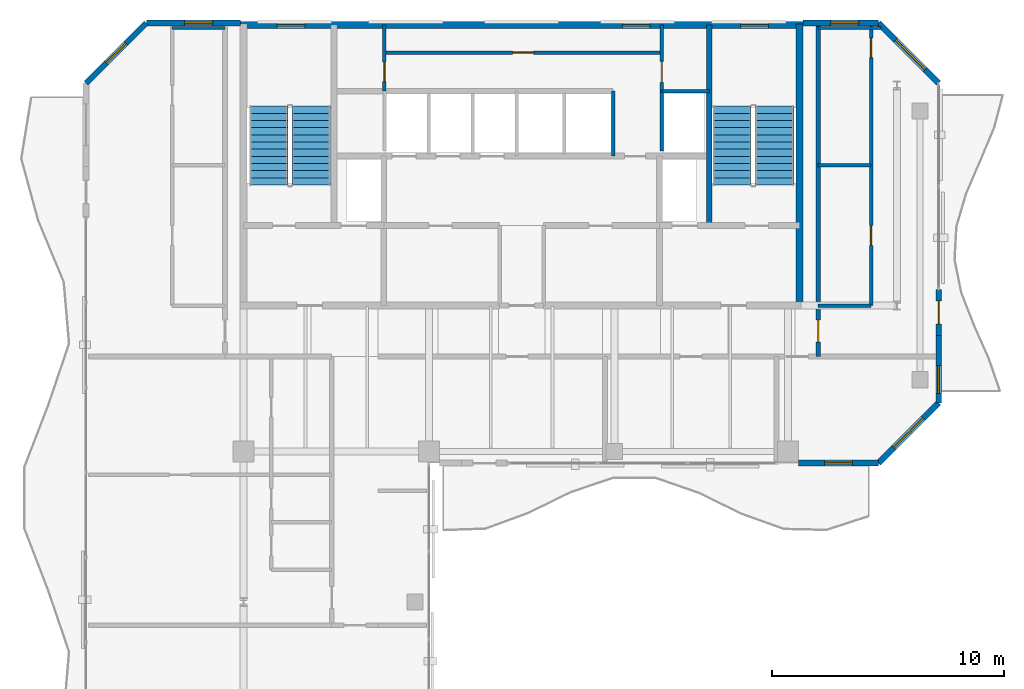
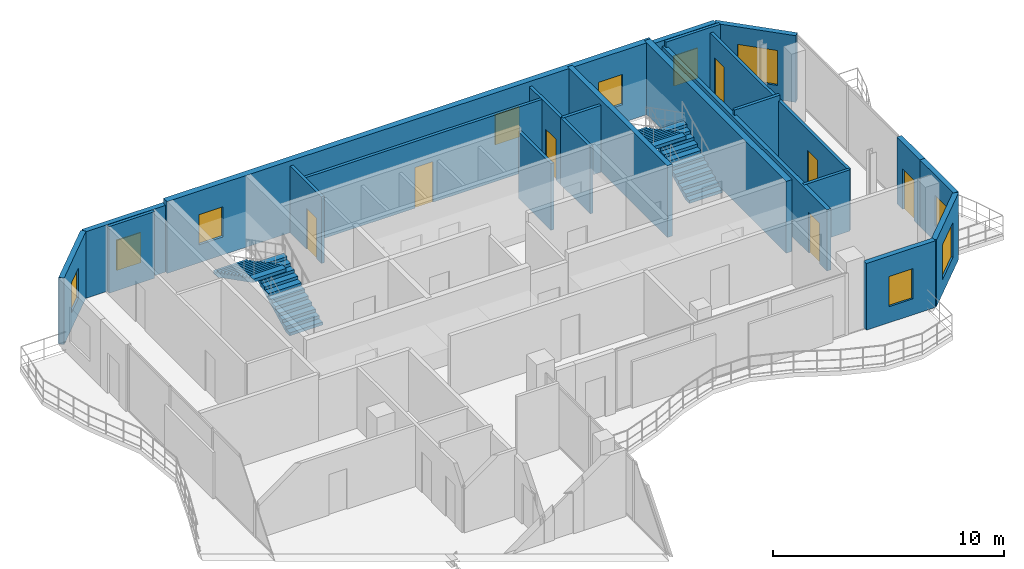
# One storey, part 14 of 17: 23 walls, 10 windows, 7 doors, 4 stair flights, 17 openings, 2 elements without a shape of their own.
"""IFC4 building model written with IfcOpenShell, lengths in metres."""

from ifc_helpers import new_model, si_unit, direction, frame, frame_2d, origin, place, context, subcontext, project, spatial, polyline, rectangle, outline, extrude, material, layer, layer_set, type_object, element, fill, aggregate, save


model = new_model("IFC4")

# Units and contexts
model_context = context("Model", 3, precision=1e-05, world=origin(), true_north=direction((0.0, 1.0)))
body_context = subcontext(model_context, "Body", "Model", "MODEL_VIEW")
ifc_project = project(units=[si_unit("LENGTHUNIT", "METRE"), si_unit("AREAUNIT", "SQUARE_METRE"), si_unit("VOLUMEUNIT", "CUBIC_METRE"), si_unit("PLANEANGLEUNIT", "RADIAN"), si_unit("MASSUNIT", "GRAM", prefix="KILO")], contexts=[model_context])

# Site, building, storey
site_placement = place(None, origin())
site = spatial("IfcSite", under=ifc_project, at=site_placement, CompositionType="ELEMENT")
building_placement = place(site_placement, origin())
building = spatial("IfcBuilding", under=site, at=building_placement, Name="Catumbela Crestline Tower", CompositionType="ELEMENT")
storey_placement = place(building_placement, frame((0.0, 0.0, 283.0)))
storey = spatial("IfcBuildingStorey", under=building, at=storey_placement, Name="L73", CompositionType="ELEMENT", Elevation=283.0)

# Walls
ifc_material_1 = material(Name="Concrete C50/60", Category="concrete")
ifc_layer_1 = layer(ifc_material_1, 0.25, Name="Concrete C50/60")
ifc_layer_set_1 = layer_set([ifc_layer_1], Name="Concrete C50/60")
wall_type_1 = type_object("IfcWallType", Name="CW-250D", PredefinedType="SHEAR", material=ifc_layer_set_1)
wall_1_placement = place(storey_placement, frame((36.1, 34.25, 0.0), z_axis=(0.0, 0.0, 1.0), x_axis=(0.0, 1.0, 0.0)))
element("IfcWall", 1, at=wall_1_placement, inside=storey, type_object=wall_type_1, Name="L73 Structural Core Shear Wall EWEB", PredefinedType="SHEAR", context=body_context, shape_type="SweptSolid", body=[
    extrude(rectangle(XDim=8.65, YDim=0.25, at=frame_2d((4.325, 0.0))), origin(), (0.0, 0.0, 1.0), 3.8),
])
ifc_material_2 = material(Name="Concrete C45/55", Category="concrete")
ifc_layer_2 = layer(ifc_material_2, 0.3, Name="Concrete C45/55")
ifc_layer_set_2 = layer_set([ifc_layer_2], Name="Concrete C45/55")
wall_type_2 = type_object("IfcWallType", Name="CW-300C", PredefinedType="SHEAR", material=ifc_layer_set_2)
wall_2_placement = place(storey_placement, frame((40.0, 30.65, 0.0), z_axis=(0.0, 0.0, 1.0), x_axis=(0.0, 1.0, 0.0)))
element("IfcWall", 2, at=wall_2_placement, inside=storey, type_object=wall_type_2, Name="L73 Structural Core Shear Wall E", PredefinedType="SHEAR", context=body_context, shape_type="SweptSolid", body=[
    extrude(rectangle(XDim=12.3, YDim=0.3, at=frame_2d((6.15, 0.0))), origin(), (0.0, 0.0, 1.0), 3.8),
])

# Wall, openings, windows
ifc_layer_3 = layer(ifc_material_2, 0.3, Name="Concrete C45/55")
ifc_layer_set_3 = layer_set([ifc_layer_3], Name="Concrete C45/55")
wall_type_3 = type_object("IfcWallType", Name="CW-300E", PredefinedType="SHEAR", material=ifc_layer_set_3)
wall_3_placement = place(storey_placement, frame((15.85, 42.9, 0.0), z_axis=(0.0, 0.0, 1.0), x_axis=(1.0, 0.0, 0.0)))
wall_3 = element("IfcWall", 3, at=wall_3_placement, inside=storey, type_object=wall_type_3, Name="L73 Structural Core Shear Wall N", PredefinedType="SHEAR", context=body_context, shape_type="SweptSolid", body=[
    extrude(rectangle(XDim=24.3, YDim=0.3, at=frame_2d((12.15, 0.0))), origin(), (0.0, 0.0, 1.0), 3.8),
])
opening_1_placement = place(wall_3_placement, frame((1.6, 0.0, 0.95)))
opening_1 = element("IfcOpeningElement", 4, at=opening_1_placement, cuts=wall_3, Name="Opening WN-02", PredefinedType="OPENING", context=body_context, shape_type="SweptSolid", body=[
    extrude(rectangle(XDim=1.2, YDim=1.6, at=frame_2d((0.6, 0.8))), frame((0.0, 0.16, 0.0), z_axis=(0.0, -1.0, 0.0), x_axis=(1.0, 0.0, 0.0)), (0.0, 0.0, 1.0), 0.32),
])
opening_2_placement = place(wall_3_placement, frame((16.5, 0.0, 0.95)))
opening_2 = element("IfcOpeningElement", 5, at=opening_2_placement, cuts=wall_3, Name="Opening WN-02", PredefinedType="OPENING", context=body_context, shape_type="SweptSolid", body=[
    extrude(rectangle(XDim=1.2, YDim=1.6, at=frame_2d((0.6, 0.8))), frame((0.0, 0.16, 0.0), z_axis=(0.0, -1.0, 0.0), x_axis=(1.0, 0.0, 0.0)), (0.0, 0.0, 1.0), 0.32),
])
opening_3_placement = place(wall_3_placement, frame((21.6, 0.0, 0.95)))
opening_3 = element("IfcOpeningElement", 6, at=opening_3_placement, cuts=wall_3, Name="Opening WN-02", PredefinedType="OPENING", context=body_context, shape_type="SweptSolid", body=[
    extrude(rectangle(XDim=1.2, YDim=1.6, at=frame_2d((0.6, 0.8))), frame((0.0, 0.16, 0.0), z_axis=(0.0, -1.0, 0.0), x_axis=(1.0, 0.0, 0.0)), (0.0, 0.0, 1.0), 0.32),
])
ifc_material_3 = material(Name="Low-E laminated solar-control double glazing", Category="glass")
window_type_1 = type_object("IfcWindowType", Name="WO-1200", PartitioningType="SINGLE_PANEL", PredefinedType="WINDOW", material=ifc_material_3)
window_1_placement = place(opening_1_placement, origin())
window_1 = element("IfcWindow", 7, at=window_1_placement, inside=storey, type_object=window_type_1, Name="L73 North Core Daylight Vision Window 588", OverallHeight=1.6, OverallWidth=1.2, PartitioningType="SINGLE_PANEL", PredefinedType="WINDOW", context=body_context, shape_type="SweptSolid", body=[
    extrude(rectangle(XDim=1.2, YDim=1.6, at=frame_2d((0.6, 0.8))), frame((0.0, 0.03, 0.0), z_axis=(0.0, -1.0, 0.0), x_axis=(1.0, 0.0, 0.0)), (0.0, 0.0, 1.0), 0.06),
])
fill(opening_1, window_1)
window_2_placement = place(opening_2_placement, origin())
window_2 = element("IfcWindow", 8, at=window_2_placement, inside=storey, type_object=window_type_1, Name="L73 North Core Daylight Vision Window 589", OverallHeight=1.6, OverallWidth=1.2, PartitioningType="SINGLE_PANEL", PredefinedType="WINDOW", context=body_context, shape_type="SweptSolid", body=[
    extrude(rectangle(XDim=1.2, YDim=1.6, at=frame_2d((0.6, 0.8))), frame((0.0, 0.03, 0.0), z_axis=(0.0, -1.0, 0.0), x_axis=(1.0, 0.0, 0.0)), (0.0, 0.0, 1.0), 0.06),
])
fill(opening_2, window_2)
window_3_placement = place(opening_3_placement, origin())
window_3 = element("IfcWindow", 9, at=window_3_placement, inside=storey, type_object=window_type_1, Name="L73 North Core Daylight Vision Window 590", OverallHeight=1.6, OverallWidth=1.2, PartitioningType="SINGLE_PANEL", PredefinedType="WINDOW", context=body_context, shape_type="SweptSolid", body=[
    extrude(rectangle(XDim=1.2, YDim=1.6, at=frame_2d((0.6, 0.8))), frame((0.0, 0.03, 0.0), z_axis=(0.0, -1.0, 0.0), x_axis=(1.0, 0.0, 0.0)), (0.0, 0.0, 1.0), 0.06),
])
fill(opening_3, window_3)

# Wall, opening, door
ifc_material_4 = material(Name="Acoustic gypsum and mineral-wool partition")
ifc_layer_4 = layer(ifc_material_4, 0.2, Name="Acoustic gypsum and mineral-wool partition")
ifc_layer_set_4 = layer_set([ifc_layer_4], Name="Acoustic gypsum and mineral-wool partition")
wall_type_4 = type_object("IfcWallType", Name="WC-200", PredefinedType="PARTITIONING", material=ifc_layer_set_4)
wall_4_placement = place(storey_placement, frame((40.8, 28.6, 0.0), z_axis=(0.0, 0.0, 1.0), x_axis=(0.0, 1.0, 0.0)))
wall_4 = element("IfcWall", 10, at=wall_4_placement, inside=storey, type_object=wall_type_4, Name="L73 Interior Partition PW-L73-NE1-ENT", PredefinedType="PARTITIONING", context=body_context, shape_type="SweptSolid", body=[
    extrude(rectangle(XDim=14.3, YDim=0.2, at=frame_2d((7.15, 0.0))), origin(), (0.0, 0.0, 1.0), 3.24),
])
opening_4_placement = place(wall_4_placement, frame((0.625, 0.0, 0.0)))
opening_4 = element("IfcOpeningElement", 11, at=opening_4_placement, cuts=wall_4, Name="Opening DF6-095", PredefinedType="OPENING", context=body_context, shape_type="SweptSolid", body=[
    extrude(rectangle(XDim=0.95, YDim=2.15, at=frame_2d((0.475, 1.075))), frame((0.0, 0.11, 0.0), z_axis=(0.0, -1.0, 0.0), x_axis=(1.0, 0.0, 0.0)), (0.0, 0.0, 1.0), 0.22),
])
ifc_material_5 = material(Name="Aluminium alloy AW-6060-T66", Category="aluminium")
door_type_1 = type_object("IfcDoorType", Name="DF6-095", OperationType="NOTDEFINED", PredefinedType="DOOR", material=ifc_material_5)
door_1_placement = place(opening_4_placement, origin())
door_1 = element("IfcDoor", 12, at=door_1_placement, inside=storey, type_object=door_type_1, Name="L73 Interior Door DR-L73-NE1-ENT", OperationType="SINGLE_SWING_LEFT", OverallHeight=2.15, OverallWidth=0.95, PredefinedType="DOOR", context=body_context, shape_type="SweptSolid", body=[
    extrude(rectangle(XDim=0.95, YDim=2.15, at=frame_2d((0.475, 1.075))), frame((0.0, 0.025, 0.0), z_axis=(0.0, -1.0, 0.0), x_axis=(1.0, 0.0, 0.0)), (0.0, 0.0, 1.0), 0.05),
])
fill(opening_4, door_1)

# Wall, opening, window
ifc_material_6 = material(Name="Angolan grey-ochre granite", Category="masonry")
ifc_layer_5 = layer(ifc_material_6, 0.25, Name="Angolan grey-ochre granite")
ifc_layer_set_5 = layer_set([ifc_layer_5], Name="Angolan grey-ochre granite")
wall_type_5 = type_object("IfcWallType", Name="WE-250", PredefinedType="STANDARD", material=ifc_layer_set_5)
wall_5_placement = place(storey_placement, frame((39.95, 24.0, 0.0), z_axis=(0.0, 0.0, 1.0), x_axis=(1.0, 0.0, 0.0)))
wall_5 = element("IfcWall", 13, at=wall_5_placement, inside=storey, type_object=wall_type_5, Name="L73 Granite Punched Window Wall 3-3", PredefinedType="STANDARD", context=body_context, shape_type="SweptSolid", body=[
    extrude(rectangle(XDim=3.45, YDim=0.25, at=frame_2d((1.725, 0.0))), origin(), (0.0, 0.0, 1.0), 3.53),
])
opening_5_placement = place(wall_5_placement, frame((1.125, 0.0, 0.85)))
opening_5 = element("IfcOpeningElement", 14, at=opening_5_placement, cuts=wall_5, Name="Opening WN-02", PredefinedType="OPENING", context=body_context, shape_type="SweptSolid", body=[
    extrude(rectangle(XDim=1.2, YDim=1.6, at=frame_2d((0.6, 0.8))), frame((0.0, 0.135, 0.0), z_axis=(0.0, -1.0, 0.0), x_axis=(1.0, 0.0, 0.0)), (0.0, 0.0, 1.0), 0.27),
])
window_4_placement = place(opening_5_placement, origin())
window_4 = element("IfcWindow", 15, at=window_4_placement, inside=storey, type_object=window_type_1, Name="L73 Facade Vision Window 592", OverallHeight=1.6, OverallWidth=1.2, PartitioningType="SINGLE_PANEL", PredefinedType="WINDOW", context=body_context, shape_type="SweptSolid", body=[
    extrude(rectangle(XDim=1.2, YDim=1.6, at=frame_2d((0.6, 0.8))), frame((0.0, 0.03, 0.0), z_axis=(0.0, -1.0, 0.0), x_axis=(1.0, 0.0, 0.0)), (0.0, 0.0, 1.0), 0.06),
])
fill(opening_5, window_4)

wall_6_placement = place(storey_placement, frame((43.4, 24.0, 0.0), z_axis=(0.0, 0.0, 1.0), x_axis=(0.707106781187, 0.707106781187, 0.0)))
wall_6 = element("IfcWall", 16, at=wall_6_placement, inside=storey, type_object=wall_type_5, Name="L73 Granite Punched Window Wall 4-1", PredefinedType="STANDARD", context=body_context, shape_type="SweptSolid", body=[
    extrude(rectangle(XDim=3.677, YDim=0.25, at=frame_2d((1.8385, 0.0))), origin(), (0.0, 0.0, 1.0), 3.53),
])
opening_6_placement = place(wall_6_placement, frame((0.9385, 0.0, 0.75)))
opening_6 = element("IfcOpeningElement", 17, at=opening_6_placement, cuts=wall_6, Name="Opening WN-01", PredefinedType="OPENING", context=body_context, shape_type="SweptSolid", body=[
    extrude(rectangle(XDim=1.8, YDim=1.85, at=frame_2d((0.9, 0.925))), frame((0.0, 0.135, 0.0), z_axis=(0.0, -1.0, 0.0), x_axis=(1.0, 0.0, 0.0)), (0.0, 0.0, 1.0), 0.27),
])
window_type_2 = type_object("IfcWindowType", Name="WF-1800", PartitioningType="SINGLE_PANEL", PredefinedType="WINDOW", material=ifc_material_3)
window_5_placement = place(opening_6_placement, origin())
window_5 = element("IfcWindow", 18, at=window_5_placement, inside=storey, type_object=window_type_2, Name="L73 Facade Vision Window 593", OverallHeight=1.85, OverallWidth=1.8, PartitioningType="SINGLE_PANEL", PredefinedType="WINDOW", context=body_context, shape_type="SweptSolid", body=[
    extrude(rectangle(XDim=1.8, YDim=1.85, at=frame_2d((0.9, 0.925))), frame((0.0, 0.03, 0.0), z_axis=(0.0, -1.0, 0.0), x_axis=(1.0, 0.0, 0.0)), (0.0, 0.0, 1.0), 0.06),
])
fill(opening_6, window_5)

# Wall, opening, door
wall_7_placement = place(storey_placement, frame((46.0, 29.5, 0.0), z_axis=(0.0, 0.0, 1.0), x_axis=(0.0, 1.0, 0.0)))
wall_7 = element("IfcWall", 19, at=wall_7_placement, inside=storey, type_object=wall_type_5, Name="L73 Exterior Threshold Portal Wall DR-L73-WBAL-2", PredefinedType="STANDARD", context=body_context, shape_type="SweptSolid", body=[
    extrude(rectangle(XDim=2.0, YDim=0.25, at=frame_2d((1.0, 0.0))), origin(), (0.0, 0.0, 1.0), 3.53),
])
opening_7_placement = place(wall_7_placement, frame((0.5, 0.0, 0.0)))
opening_7 = element("IfcOpeningElement", 20, at=opening_7_placement, cuts=wall_7, Name="Opening DB-L73-2", PredefinedType="OPENING", context=body_context, shape_type="SweptSolid", body=[
    extrude(rectangle(XDim=1.0, YDim=2.15, at=frame_2d((0.5, 1.075))), frame((0.0, 0.135, 0.0), z_axis=(0.0, -1.0, 0.0), x_axis=(1.0, 0.0, 0.0)), (0.0, 0.0, 1.0), 0.27),
])
door_type_2 = type_object("IfcDoorType", Name="DB-1000", OperationType="NOTDEFINED", PredefinedType="DOOR", material=ifc_material_5)
door_2_placement = place(opening_7_placement, origin())
door_2 = element("IfcDoor", 21, at=door_2_placement, inside=storey, type_object=door_type_2, Name="L73 Wave Balcony Terrace Door 2", OperationType="SINGLE_SWING_RIGHT", OverallHeight=2.15, OverallWidth=1.0, PredefinedType="DOOR", context=body_context, shape_type="SweptSolid", body=[
    extrude(rectangle(XDim=1.0, YDim=2.15, at=frame_2d((0.5, 1.075))), frame((0.0, 0.025, 0.0), z_axis=(0.0, -1.0, 0.0), x_axis=(1.0, 0.0, 0.0)), (0.0, 0.0, 1.0), 0.05),
])
fill(opening_7, door_2)

# Wall, opening, window
wall_8_placement = place(storey_placement, frame((46.0, 26.6, 0.0), z_axis=(0.0, 0.0, 1.0), x_axis=(0.0, 1.0, 0.0)))
wall_8 = element("IfcWall", 22, at=wall_8_placement, inside=storey, type_object=wall_type_5, Name="L73 Granite Punched Window Wall 5-1", PredefinedType="STANDARD", context=body_context, shape_type="SweptSolid", body=[
    extrude(rectangle(XDim=2.9, YDim=0.25, at=frame_2d((1.45, 0.0))), origin(), (0.0, 0.0, 1.0), 3.53),
])
opening_8_placement = place(wall_8_placement, frame((0.41, 0.0, 0.85)))
opening_8 = element("IfcOpeningElement", 23, at=opening_8_placement, cuts=wall_8, Name="Opening WN-02", PredefinedType="OPENING", context=body_context, shape_type="SweptSolid", body=[
    extrude(rectangle(XDim=1.2, YDim=1.6, at=frame_2d((0.6, 0.8))), frame((0.0, 0.135, 0.0), z_axis=(0.0, -1.0, 0.0), x_axis=(1.0, 0.0, 0.0)), (0.0, 0.0, 1.0), 0.27),
])
window_6_placement = place(opening_8_placement, origin())
window_6 = element("IfcWindow", 24, at=window_6_placement, inside=storey, type_object=window_type_1, Name="L73 Facade Vision Window 594", OverallHeight=1.6, OverallWidth=1.2, PartitioningType="SINGLE_PANEL", PredefinedType="WINDOW", context=body_context, shape_type="SweptSolid", body=[
    extrude(rectangle(XDim=1.2, YDim=1.6, at=frame_2d((0.6, 0.8))), frame((0.0, 0.03, 0.0), z_axis=(0.0, -1.0, 0.0), x_axis=(1.0, 0.0, 0.0)), (0.0, 0.0, 1.0), 0.06),
])
fill(opening_8, window_6)

wall_9_placement = place(storey_placement, frame((46.0, 40.4, 0.0), z_axis=(0.0, 0.0, 1.0), x_axis=(-0.707106781187, 0.707106781187, 0.0)))
wall_9 = element("IfcWall", 25, at=wall_9_placement, inside=storey, type_object=wall_type_5, Name="L73 Granite Punched Window Wall 6-1", PredefinedType="STANDARD", context=body_context, shape_type="SweptSolid", body=[
    extrude(rectangle(XDim=3.677, YDim=0.25, at=frame_2d((1.8385, 0.0))), origin(), (0.0, 0.0, 1.0), 3.53),
])
opening_9_placement = place(wall_9_placement, frame((0.8283, 0.0, 0.75)))
opening_9 = element("IfcOpeningElement", 26, at=opening_9_placement, cuts=wall_9, Name="Opening WN-01", PredefinedType="OPENING", context=body_context, shape_type="SweptSolid", body=[
    extrude(rectangle(XDim=1.8, YDim=1.85, at=frame_2d((0.9, 0.925))), frame((0.0, 0.135, 0.0), z_axis=(0.0, -1.0, 0.0), x_axis=(1.0, 0.0, 0.0)), (0.0, 0.0, 1.0), 0.27),
])
window_7_placement = place(opening_9_placement, origin())
window_7 = element("IfcWindow", 27, at=window_7_placement, inside=storey, type_object=window_type_2, Name="L73 Facade Vision Window 595", OverallHeight=1.85, OverallWidth=1.8, PartitioningType="SINGLE_PANEL", PredefinedType="WINDOW", context=body_context, shape_type="SweptSolid", body=[
    extrude(rectangle(XDim=1.8, YDim=1.85, at=frame_2d((0.9, 0.925))), frame((0.0, 0.03, 0.0), z_axis=(0.0, -1.0, 0.0), x_axis=(1.0, 0.0, 0.0)), (0.0, 0.0, 1.0), 0.06),
])
fill(opening_9, window_7)

wall_10_placement = place(storey_placement, frame((43.4, 43.0, 0.0), z_axis=(0.0, 0.0, 1.0), x_axis=(-1.0, 0.0, 0.0)))
wall_10 = element("IfcWall", 28, at=wall_10_placement, inside=storey, type_object=wall_type_5, Name="L73 Granite Punched Window Wall 7-1", PredefinedType="STANDARD", context=body_context, shape_type="SweptSolid", body=[
    extrude(rectangle(XDim=3.26, YDim=0.25, at=frame_2d((1.63, 0.0))), origin(), (0.0, 0.0, 1.0), 3.53),
])
opening_10_placement = place(wall_10_placement, frame((0.86, 0.0, 0.85)))
opening_10 = element("IfcOpeningElement", 29, at=opening_10_placement, cuts=wall_10, Name="Opening WN-02", PredefinedType="OPENING", context=body_context, shape_type="SweptSolid", body=[
    extrude(rectangle(XDim=1.2, YDim=1.6, at=frame_2d((0.6, 0.8))), frame((0.0, 0.135, 0.0), z_axis=(0.0, -1.0, 0.0), x_axis=(1.0, 0.0, 0.0)), (0.0, 0.0, 1.0), 0.27),
])
window_8_placement = place(opening_10_placement, origin())
window_8 = element("IfcWindow", 30, at=window_8_placement, inside=storey, type_object=window_type_1, Name="L73 Facade Vision Window 596", OverallHeight=1.6, OverallWidth=1.2, PartitioningType="SINGLE_PANEL", PredefinedType="WINDOW", context=body_context, shape_type="SweptSolid", body=[
    extrude(rectangle(XDim=1.2, YDim=1.6, at=frame_2d((0.6, 0.8))), frame((0.0, 0.03, 0.0), z_axis=(0.0, -1.0, 0.0), x_axis=(1.0, 0.0, 0.0)), (0.0, 0.0, 1.0), 0.06),
])
fill(opening_10, window_8)

wall_11_placement = place(storey_placement, frame((15.86, 43.0, 0.0), z_axis=(0.0, 0.0, 1.0), x_axis=(-1.0, 0.0, 0.0)))
wall_11 = element("IfcWall", 31, at=wall_11_placement, inside=storey, type_object=wall_type_5, Name="L73 Granite Punched Window Wall 7-2", PredefinedType="STANDARD", context=body_context, shape_type="SweptSolid", body=[
    extrude(rectangle(XDim=4.06, YDim=0.25, at=frame_2d((2.03, 0.0))), origin(), (0.0, 0.0, 1.0), 3.53),
])
opening_11_placement = place(wall_11_placement, frame((1.2, 0.0, 0.85)))
opening_11 = element("IfcOpeningElement", 32, at=opening_11_placement, cuts=wall_11, Name="Opening WN-02", PredefinedType="OPENING", context=body_context, shape_type="SweptSolid", body=[
    extrude(rectangle(XDim=1.2, YDim=1.6, at=frame_2d((0.6, 0.8))), frame((0.0, 0.135, 0.0), z_axis=(0.0, -1.0, 0.0), x_axis=(1.0, 0.0, 0.0)), (0.0, 0.0, 1.0), 0.27),
])
window_9_placement = place(opening_11_placement, origin())
window_9 = element("IfcWindow", 33, at=window_9_placement, inside=storey, type_object=window_type_1, Name="L73 Facade Vision Window 597", OverallHeight=1.6, OverallWidth=1.2, PartitioningType="SINGLE_PANEL", PredefinedType="WINDOW", context=body_context, shape_type="SweptSolid", body=[
    extrude(rectangle(XDim=1.2, YDim=1.6, at=frame_2d((0.6, 0.8))), frame((0.0, 0.03, 0.0), z_axis=(0.0, -1.0, 0.0), x_axis=(1.0, 0.0, 0.0)), (0.0, 0.0, 1.0), 0.06),
])
fill(opening_11, window_9)

wall_12_placement = place(storey_placement, frame((11.8, 43.0, 0.0), z_axis=(0.0, 0.0, 1.0), x_axis=(-0.707106781187, -0.707106781187, 0.0)))
wall_12 = element("IfcWall", 34, at=wall_12_placement, inside=storey, type_object=wall_type_5, Name="L73 Granite Punched Window Wall 8-1", PredefinedType="STANDARD", context=body_context, shape_type="SweptSolid", body=[
    extrude(rectangle(XDim=3.677, YDim=0.25, at=frame_2d((1.8385, 0.0))), origin(), (0.0, 0.0, 1.0), 3.53),
])
opening_12_placement = place(wall_12_placement, frame((1.2385, 0.0, 0.85)))
opening_12 = element("IfcOpeningElement", 35, at=opening_12_placement, cuts=wall_12, Name="Opening WN-02", PredefinedType="OPENING", context=body_context, shape_type="SweptSolid", body=[
    extrude(rectangle(XDim=1.2, YDim=1.6, at=frame_2d((0.6, 0.8))), frame((0.0, 0.135, 0.0), z_axis=(0.0, -1.0, 0.0), x_axis=(1.0, 0.0, 0.0)), (0.0, 0.0, 1.0), 0.27),
])
window_10_placement = place(opening_12_placement, origin())
window_10 = element("IfcWindow", 36, at=window_10_placement, inside=storey, type_object=window_type_1, Name="L73 Facade Vision Window 598", OverallHeight=1.6, OverallWidth=1.2, PartitioningType="SINGLE_PANEL", PredefinedType="WINDOW", context=body_context, shape_type="SweptSolid", body=[
    extrude(rectangle(XDim=1.2, YDim=1.6, at=frame_2d((0.6, 0.8))), frame((0.0, 0.03, 0.0), z_axis=(0.0, -1.0, 0.0), x_axis=(1.0, 0.0, 0.0)), (0.0, 0.0, 1.0), 0.06),
])
fill(opening_12, window_10)

# Wall
ifc_layer_6 = layer(ifc_material_4, 0.15, Name="Acoustic gypsum and mineral-wool partition")
ifc_layer_set_6 = layer_set([ifc_layer_6], Name="Acoustic gypsum and mineral-wool partition")
wall_type_6 = type_object("IfcWallType", Name="WP-150", PredefinedType="PARTITIONING", material=ifc_layer_set_6)
wall_13_placement = place(storey_placement, frame((34.05, 40.05, 0.0), z_axis=(0.0, 0.0, 1.0), x_axis=(1.0, 0.0, 0.0)))
element("IfcWall", 37, at=wall_13_placement, inside=storey, type_object=wall_type_6, Name="L73 Interior Partition PW-L73-CR-ES", PredefinedType="PARTITIONING", context=body_context, shape_type="SweptSolid", body=[
    extrude(rectangle(XDim=2.05, YDim=0.15, at=frame_2d((1.025, 0.0))), origin(), (0.0, 0.0, 1.0), 3.53),
])

# Wall, opening, door
wall_14_placement = place(storey_placement, frame((34.05, 40.05, 0.0), z_axis=(0.0, 0.0, 1.0), x_axis=(0.0, 1.0, 0.0)))
wall_14 = element("IfcWall", 38, at=wall_14_placement, inside=storey, type_object=wall_type_6, Name="L73 Interior Partition PW-L73-CR-EW", PredefinedType="PARTITIONING", context=body_context, shape_type="SweptSolid", body=[
    extrude(rectangle(XDim=2.85, YDim=0.15, at=frame_2d((1.425, 0.0))), origin(), (0.0, 0.0, 1.0), 3.53),
])
opening_13_placement = place(wall_14_placement, frame((0.385, 0.0, 0.0)))
opening_13 = element("IfcOpeningElement", 39, at=opening_13_placement, cuts=wall_14, Name="Opening DF9-090", PredefinedType="OPENING", context=body_context, shape_type="SweptSolid", body=[
    extrude(rectangle(XDim=0.9, YDim=2.15, at=frame_2d((0.45, 1.075))), frame((0.0, 0.085, 0.0), z_axis=(0.0, -1.0, 0.0), x_axis=(1.0, 0.0, 0.0)), (0.0, 0.0, 1.0), 0.17),
])
ifc_material_7 = material(Name="Stainless steel EN 1.4401", Category="steel")
door_type_3 = type_object("IfcDoorType", Name="DF9-090", OperationType="NOTDEFINED", PredefinedType="DOOR", material=ifc_material_7)
door_3_placement = place(opening_13_placement, origin())
door_3 = element("IfcDoor", 40, at=door_3_placement, inside=storey, type_object=door_type_3, Name="L73 Interior Door DR-L73-CREAST", OperationType="SINGLE_SWING_RIGHT", OverallHeight=2.15, OverallWidth=0.9, PredefinedType="DOOR", context=body_context, shape_type="SweptSolid", body=[
    extrude(rectangle(XDim=0.9, YDim=2.15, at=frame_2d((0.45, 1.075))), frame((0.0, 0.025, 0.0), z_axis=(0.0, -1.0, 0.0), x_axis=(1.0, 0.0, 0.0)), (0.0, 0.0, 1.0), 0.05),
])
fill(opening_13, door_3)

wall_15_placement = place(storey_placement, frame((22.08, 40.05, 0.0), z_axis=(0.0, 0.0, 1.0), x_axis=(0.0, 1.0, 0.0)))
wall_15 = element("IfcWall", 41, at=wall_15_placement, inside=storey, type_object=wall_type_6, Name="L73 Interior Partition PW-L73-CR-WCW", PredefinedType="PARTITIONING", context=body_context, shape_type="SweptSolid", body=[
    extrude(rectangle(XDim=2.85, YDim=0.15, at=frame_2d((1.425, 0.0))), origin(), (0.0, 0.0, 1.0), 3.53),
])
opening_14_placement = place(wall_15_placement, frame((0.41, 0.0, 0.0)))
opening_14 = element("IfcOpeningElement", 42, at=opening_14_placement, cuts=wall_15, Name="Opening DI-085", PredefinedType="OPENING", context=body_context, shape_type="SweptSolid", body=[
    extrude(rectangle(XDim=0.85, YDim=2.15, at=frame_2d((0.425, 1.075))), frame((0.0, 0.085, 0.0), z_axis=(0.0, -1.0, 0.0), x_axis=(1.0, 0.0, 0.0)), (0.0, 0.0, 1.0), 0.17),
])
door_type_4 = type_object("IfcDoorType", Name="DI-085", OperationType="NOTDEFINED", PredefinedType="DOOR", material=ifc_material_5)
door_4_placement = place(opening_14_placement, origin())
door_4 = element("IfcDoor", 43, at=door_4_placement, inside=storey, type_object=door_type_4, Name="L73 Interior Door DR-L73-CRWC", OperationType="SINGLE_SWING_LEFT", OverallHeight=2.15, OverallWidth=0.85, PredefinedType="DOOR", context=body_context, shape_type="SweptSolid", body=[
    extrude(rectangle(XDim=0.85, YDim=2.15, at=frame_2d((0.425, 1.075))), frame((0.0, 0.025, 0.0), z_axis=(0.0, -1.0, 0.0), x_axis=(1.0, 0.0, 0.0)), (0.0, 0.0, 1.0), 0.05),
])
fill(opening_14, door_4)

wall_16_placement = place(storey_placement, frame((22.08, 41.72, 0.0), z_axis=(0.0, 0.0, 1.0), x_axis=(1.0, 0.0, 0.0)))
wall_16 = element("IfcWall", 44, at=wall_16_placement, inside=storey, type_object=wall_type_6, Name="L73 Interior Partition PW-L73-CR-MID", PredefinedType="PARTITIONING", context=body_context, shape_type="SweptSolid", body=[
    extrude(rectangle(XDim=11.97, YDim=0.15, at=frame_2d((5.985, 0.0))), origin(), (0.0, 0.0, 1.0), 3.53),
])
opening_15_placement = place(wall_16_placement, frame((5.535, 0.0, 0.0)))
opening_15 = element("IfcOpeningElement", 45, at=opening_15_placement, cuts=wall_16, Name="Opening DF9-090", PredefinedType="OPENING", context=body_context, shape_type="SweptSolid", body=[
    extrude(rectangle(XDim=0.9, YDim=2.15, at=frame_2d((0.45, 1.075))), frame((0.0, 0.085, 0.0), z_axis=(0.0, -1.0, 0.0), x_axis=(1.0, 0.0, 0.0)), (0.0, 0.0, 1.0), 0.17),
])
door_5_placement = place(opening_15_placement, origin())
door_5 = element("IfcDoor", 46, at=door_5_placement, inside=storey, type_object=door_type_3, Name="L73 Interior Door DR-L73-CRMID", OperationType="SINGLE_SWING_LEFT", OverallHeight=2.15, OverallWidth=0.9, PredefinedType="DOOR", context=body_context, shape_type="SweptSolid", body=[
    extrude(rectangle(XDim=0.9, YDim=2.15, at=frame_2d((0.45, 1.075))), frame((0.0, 0.025, 0.0), z_axis=(0.0, -1.0, 0.0), x_axis=(1.0, 0.0, 0.0)), (0.0, 0.0, 1.0), 0.05),
])
fill(opening_15, door_5)

# Walls
wall_17_placement = place(storey_placement, frame((12.92, 42.78, 0.0), z_axis=(0.0, 0.0, 1.0), x_axis=(1.0, 0.0, 0.0)))
element("IfcWall", 47, at=wall_17_placement, inside=storey, type_object=wall_type_6, Name="L73 Interior Partition PW-L73-NW1-BTH-BCL-2", PredefinedType="PARTITIONING", context=body_context, shape_type="SweptSolid", body=[
    extrude(rectangle(XDim=2.28, YDim=0.15, at=frame_2d((1.14, 0.0))), origin(), (0.0, 0.0, 1.0), 3.53),
])
wall_18_placement = place(storey_placement, frame((40.8, 30.8, 0.0), z_axis=(0.0, 0.0, 1.0), x_axis=(1.0, 0.0, 0.0)))
element("IfcWall", 48, at=wall_18_placement, inside=storey, type_object=wall_type_6, Name="L73 Interior Partition PW-L73-NE1-KBS", PredefinedType="PARTITIONING", context=body_context, shape_type="SweptSolid", body=[
    extrude(rectangle(XDim=2.28, YDim=0.15, at=frame_2d((1.14, 0.0))), origin(), (0.0, 0.0, 1.0), 3.24),
])
wall_19_placement = place(storey_placement, frame((40.8, 36.85, 0.0), z_axis=(0.0, 0.0, 1.0), x_axis=(1.0, 0.0, 0.0)))
element("IfcWall", 49, at=wall_19_placement, inside=storey, type_object=wall_type_6, Name="L73 Interior Partition PW-L73-NE1-KBM", PredefinedType="PARTITIONING", context=body_context, shape_type="SweptSolid", body=[
    extrude(rectangle(XDim=2.28, YDim=0.15, at=frame_2d((1.14, 0.0))), origin(), (0.0, 0.0, 1.0), 3.53),
])

# Wall, openings, doors
wall_20_placement = place(storey_placement, frame((43.08, 30.8, 0.0), z_axis=(0.0, 0.0, 1.0), x_axis=(0.0, 1.0, 0.0)))
wall_20 = element("IfcWall", 50, at=wall_20_placement, inside=storey, type_object=wall_type_6, Name="L73 Interior Partition PW-L73-NE1-SK1", PredefinedType="PARTITIONING", context=body_context, shape_type="SweptSolid", body=[
    extrude(rectangle(XDim=12.1, YDim=0.15, at=frame_2d((6.05, 0.0))), origin(), (0.0, 0.0, 1.0), 3.24),
])
opening_16_placement = place(wall_20_placement, frame((2.6, 0.0, 0.0)))
opening_16 = element("IfcOpeningElement", 51, at=opening_16_placement, cuts=wall_20, Name="Opening DI-085", PredefinedType="OPENING", context=body_context, shape_type="SweptSolid", body=[
    extrude(rectangle(XDim=0.85, YDim=2.15, at=frame_2d((0.425, 1.075))), frame((0.0, 0.085, 0.0), z_axis=(0.0, -1.0, 0.0), x_axis=(1.0, 0.0, 0.0)), (0.0, 0.0, 1.0), 0.17),
])
opening_17_placement = place(wall_20_placement, frame((10.7036, 0.0, 0.0)))
opening_17 = element("IfcOpeningElement", 52, at=opening_17_placement, cuts=wall_20, Name="Opening DI-085", PredefinedType="OPENING", context=body_context, shape_type="SweptSolid", body=[
    extrude(rectangle(XDim=0.85, YDim=2.15, at=frame_2d((0.425, 1.075))), frame((0.0, 0.085, 0.0), z_axis=(0.0, -1.0, 0.0), x_axis=(1.0, 0.0, 0.0)), (0.0, 0.0, 1.0), 0.17),
])
door_6_placement = place(opening_16_placement, origin())
door_6 = element("IfcDoor", 53, at=door_6_placement, inside=storey, type_object=door_type_4, Name="L73 Interior Door DR-L73-NE1-KIT", OperationType="SINGLE_SWING_LEFT", OverallHeight=2.15, OverallWidth=0.85, PredefinedType="DOOR", context=body_context, shape_type="SweptSolid", body=[
    extrude(rectangle(XDim=0.85, YDim=2.15, at=frame_2d((0.425, 1.075))), frame((0.0, 0.025, 0.0), z_axis=(0.0, -1.0, 0.0), x_axis=(1.0, 0.0, 0.0)), (0.0, 0.0, 1.0), 0.05),
])
fill(opening_16, door_6)
door_7_placement = place(opening_17_placement, origin())
door_7 = element("IfcDoor", 54, at=door_7_placement, inside=storey, type_object=door_type_4, Name="L73 Interior Door DR-L73-NE1-BTH", OperationType="SINGLE_SWING_RIGHT", OverallHeight=2.15, OverallWidth=0.85, PredefinedType="DOOR", context=body_context, shape_type="SweptSolid", body=[
    extrude(rectangle(XDim=0.85, YDim=2.15, at=frame_2d((0.425, 1.075))), frame((0.0, 0.025, 0.0), z_axis=(0.0, -1.0, 0.0), x_axis=(1.0, 0.0, 0.0)), (0.0, 0.0, 1.0), 0.05),
])
fill(opening_17, door_7)

# Walls
wall_21_placement = place(storey_placement, frame((40.8, 42.78, 0.0), z_axis=(0.0, 0.0, 1.0), x_axis=(1.0, 0.0, 0.0)))
element("IfcWall", 55, at=wall_21_placement, inside=storey, type_object=wall_type_6, Name="L73 Interior Partition PW-L73-NE1-BTH-BCL-2", PredefinedType="PARTITIONING", context=body_context, shape_type="SweptSolid", body=[
    extrude(rectangle(XDim=2.72, YDim=0.15, at=frame_2d((1.36, 0.0))), origin(), (0.0, 0.0, 1.0), 3.53),
])
ifc_layer_7 = layer(ifc_material_4, 0.15, Name="Acoustic gypsum and mineral-wool partition")
ifc_layer_set_7 = layer_set([ifc_layer_7], Name="Acoustic gypsum and mineral-wool partition")
wall_type_7 = type_object("IfcWallType", Name="WS-150", PredefinedType="PLUMBINGWALL", material=ifc_layer_set_7)
wall_22_placement = place(storey_placement, frame((31.95, 37.25, 0.0), z_axis=(0.0, 0.0, 1.0), x_axis=(0.0, 1.0, 0.0)))
element("IfcWall", 56, at=wall_22_placement, inside=storey, type_object=wall_type_7, Name="L73 Interior Partition PW-L73-SHEX2E", PredefinedType="PLUMBINGWALL", context=body_context, shape_type="SweptSolid", body=[
    extrude(rectangle(XDim=2.8, YDim=0.15, at=frame_2d((1.4, 0.0))), origin(), (0.0, 0.0, 1.0), 3.53),
])
wall_23_placement = place(storey_placement, frame((34.05, 37.4734, 0.0), z_axis=(0.0, 0.0, 1.0), x_axis=(0.0, 1.0, 0.0)))
element("IfcWall", 57, at=wall_23_placement, inside=storey, type_object=wall_type_7, Name="L73 Interior Partition PW-L73-RISW", PredefinedType="PLUMBINGWALL", context=body_context, shape_type="SweptSolid", body=[
    extrude(rectangle(XDim=2.5766, YDim=0.15, at=frame_2d((1.2883, 0.0))), origin(), (0.0, 0.0, 1.0), 3.53),
])

# Stair, stair flights
stair_type = type_object("IfcStairType", Name="ST-DLG", PredefinedType="HALF_TURN_STAIR", material=ifc_material_2)
stair_1_placement = place(storey_placement, origin())
stair_1 = element("IfcStair", 58, at=stair_1_placement, inside=storey, type_object=stair_type, Name="L73 West Core Pressurised Exit Stair ST-01", PredefinedType="HALF_TURN_STAIR")
stair_flight_type = type_object("IfcStairFlightType", Name="SF-1583", PredefinedType="STRAIGHT", material=ifc_material_2)
stair_flight_1_placement = place(storey_placement, frame((18.92, 36.0, 0.0), z_axis=(0.0, 0.0, 1.0), x_axis=(0.0, 1.0, 0.0)))
stair_flight_1 = element("IfcStairFlight", 59, at=stair_flight_1_placement, type_object=stair_flight_type, Name="ST-01 flight 1", NumberOfRisers=12, NumberOfTreads=11, PredefinedType="STRAIGHT", RiserHeight=0.158333333, TreadLength=0.31, context=body_context, shape_type="SweptSolid", body=[
    extrude(outline(polyline([(0.0, 0.0), (0.0, 0.1583), (0.31, 0.1583), (0.31, 0.3167), (0.62, 0.3167), (0.62, 0.475), (0.93, 0.475), (0.93, 0.6333), (1.24, 0.6333), (1.24, 0.7917), (1.55, 0.7917), (1.55, 0.95), (1.86, 0.95), (1.86, 1.1083), (2.17, 1.1083), (2.17, 1.2667), (2.48, 1.2667), (2.48, 1.425), (2.79, 1.425), (2.79, 1.5833), (3.1, 1.5833), (3.1, 1.7417), (3.41, 1.7417), (3.41, 1.9), (3.41, 1.562), (0.3518, 0.0), (0.0, 0.0)])), frame((0.0, 0.83, 0.0), z_axis=(0.0, -1.0, 0.0), x_axis=(1.0, 0.0, 0.0)), (0.0, 0.0, 1.0), 1.66),
])
stair_flight_2_placement = place(storey_placement, frame((17.08, 39.41, 1.9), z_axis=(0.0, 0.0, 1.0), x_axis=(0.0, -1.0, 0.0)))
stair_flight_2 = element("IfcStairFlight", 60, at=stair_flight_2_placement, type_object=stair_flight_type, Name="ST-01 flight 2", NumberOfRisers=12, NumberOfTreads=11, PredefinedType="STRAIGHT", RiserHeight=0.158333333, TreadLength=0.31, context=body_context, shape_type="SweptSolid", body=[
    extrude(outline(polyline([(0.0, 0.0), (0.0, 0.1583), (0.31, 0.1583), (0.31, 0.3167), (0.62, 0.3167), (0.62, 0.475), (0.93, 0.475), (0.93, 0.6333), (1.24, 0.6333), (1.24, 0.7917), (1.55, 0.7917), (1.55, 0.95), (1.86, 0.95), (1.86, 1.1083), (2.17, 1.1083), (2.17, 1.2667), (2.48, 1.2667), (2.48, 1.425), (2.79, 1.425), (2.79, 1.5833), (3.1, 1.5833), (3.1, 1.7417), (3.41, 1.7417), (3.41, 1.9), (3.41, 1.562), (0.3518, 0.0), (0.0, 0.0)])), frame((0.0, 0.83, 0.0), z_axis=(0.0, -1.0, 0.0), x_axis=(1.0, 0.0, 0.0)), (0.0, 0.0, 1.0), 1.66),
])
aggregate(stair_1, [stair_flight_1, stair_flight_2])

stair_2_placement = place(storey_placement, origin())
stair_2 = element("IfcStair", 61, at=stair_2_placement, inside=storey, type_object=stair_type, Name="L73 East Core Pressurised Exit Stair ST-02", PredefinedType="HALF_TURN_STAIR")
stair_flight_3_placement = place(storey_placement, frame((38.92, 36.0, 0.0), z_axis=(0.0, 0.0, 1.0), x_axis=(0.0, 1.0, 0.0)))
stair_flight_3 = element("IfcStairFlight", 62, at=stair_flight_3_placement, type_object=stair_flight_type, Name="ST-02 flight 1", NumberOfRisers=12, NumberOfTreads=11, PredefinedType="STRAIGHT", RiserHeight=0.158333333, TreadLength=0.31, context=body_context, shape_type="SweptSolid", body=[
    extrude(outline(polyline([(0.0, 0.0), (0.0, 0.1583), (0.31, 0.1583), (0.31, 0.3167), (0.62, 0.3167), (0.62, 0.475), (0.93, 0.475), (0.93, 0.6333), (1.24, 0.6333), (1.24, 0.7917), (1.55, 0.7917), (1.55, 0.95), (1.86, 0.95), (1.86, 1.1083), (2.17, 1.1083), (2.17, 1.2667), (2.48, 1.2667), (2.48, 1.425), (2.79, 1.425), (2.79, 1.5833), (3.1, 1.5833), (3.1, 1.7417), (3.41, 1.7417), (3.41, 1.9), (3.41, 1.562), (0.3518, 0.0), (0.0, 0.0)])), frame((0.0, 0.83, 0.0), z_axis=(0.0, -1.0, 0.0), x_axis=(1.0, 0.0, 0.0)), (0.0, 0.0, 1.0), 1.66),
])
stair_flight_4_placement = place(storey_placement, frame((37.08, 39.41, 1.9), z_axis=(0.0, 0.0, 1.0), x_axis=(0.0, -1.0, 0.0)))
stair_flight_4 = element("IfcStairFlight", 63, at=stair_flight_4_placement, type_object=stair_flight_type, Name="ST-02 flight 2", NumberOfRisers=12, NumberOfTreads=11, PredefinedType="STRAIGHT", RiserHeight=0.158333333, TreadLength=0.31, context=body_context, shape_type="SweptSolid", body=[
    extrude(outline(polyline([(0.0, 0.0), (0.0, 0.1583), (0.31, 0.1583), (0.31, 0.3167), (0.62, 0.3167), (0.62, 0.475), (0.93, 0.475), (0.93, 0.6333), (1.24, 0.6333), (1.24, 0.7917), (1.55, 0.7917), (1.55, 0.95), (1.86, 0.95), (1.86, 1.1083), (2.17, 1.1083), (2.17, 1.2667), (2.48, 1.2667), (2.48, 1.425), (2.79, 1.425), (2.79, 1.5833), (3.1, 1.5833), (3.1, 1.7417), (3.41, 1.7417), (3.41, 1.9), (3.41, 1.562), (0.3518, 0.0), (0.0, 0.0)])), frame((0.0, 0.83, 0.0), z_axis=(0.0, -1.0, 0.0), x_axis=(1.0, 0.0, 0.0)), (0.0, 0.0, 1.0), 1.66),
])
aggregate(stair_2, [stair_flight_3, stair_flight_4])

save(model, "model.ifc")
